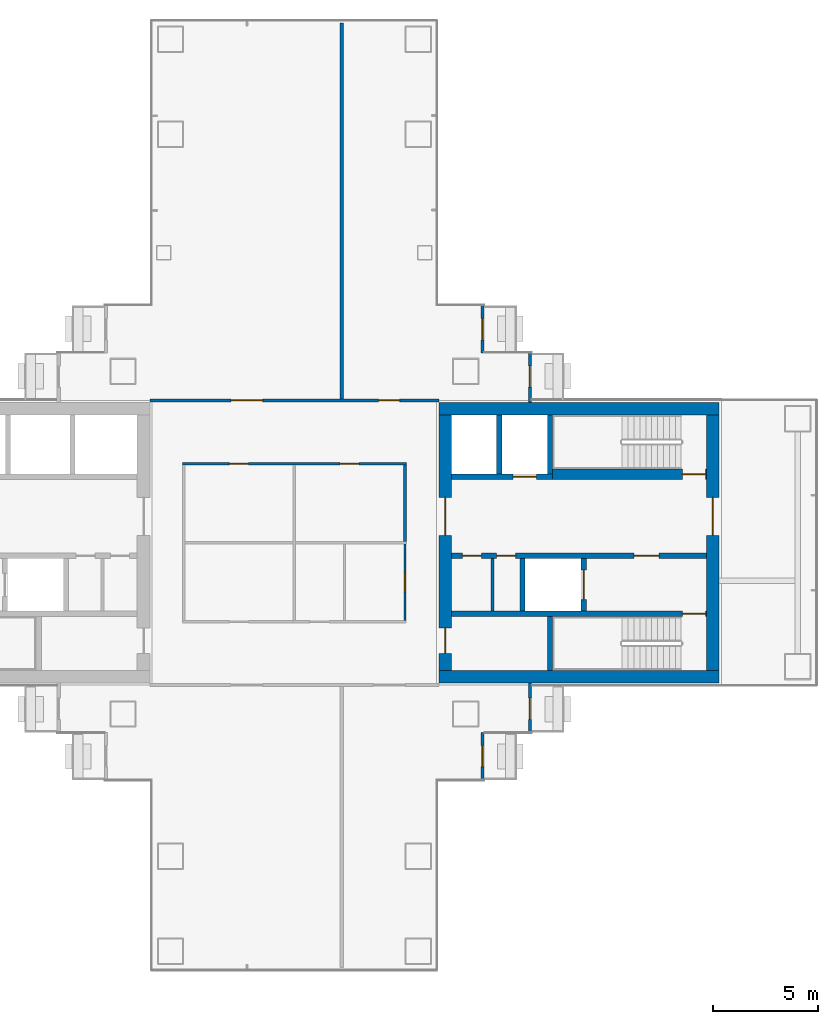
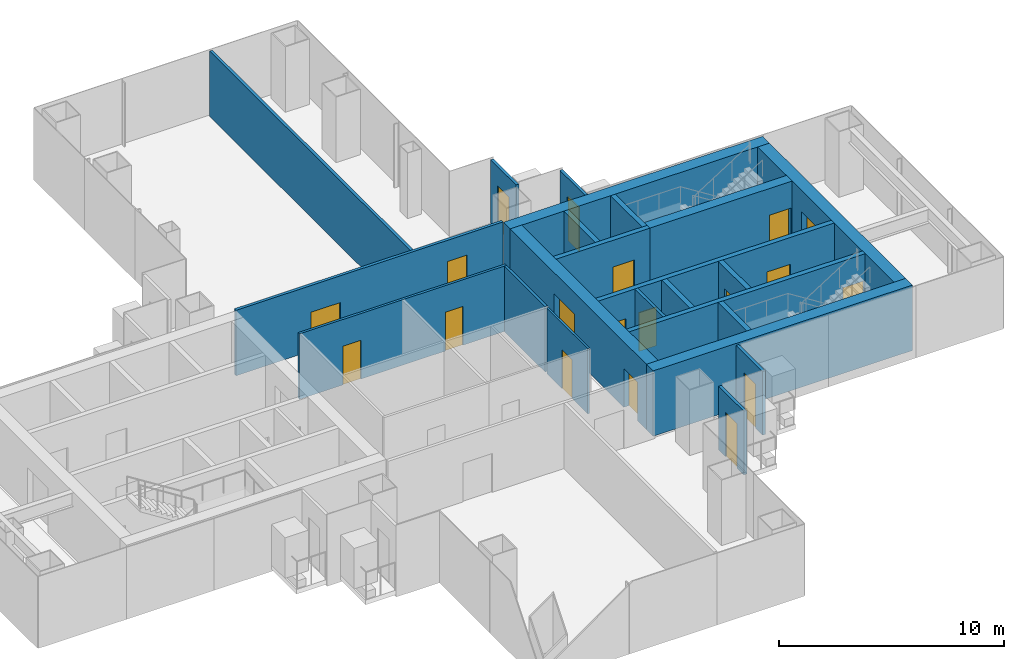
# One storey, part 14 of 19: 23 walls, 19 doors, 19 openings.
"""IFC4 building model written with IfcOpenShell, lengths in metres."""

from ifc_helpers import new_model, si_unit, direction, frame, frame_2d, origin, place, context, subcontext, project, spatial, rectangle, extrude, material, layer, layer_set, type_object, element, fill, save


model = new_model("IFC4")

# Units and contexts
model_context = context("Model", 3, precision=1e-05, world=origin(), true_north=direction((0.0, 1.0)))
body_context = subcontext(model_context, "Body", "Model", "MODEL_VIEW")
ifc_project = project(units=[si_unit("LENGTHUNIT", "METRE"), si_unit("AREAUNIT", "SQUARE_METRE"), si_unit("VOLUMEUNIT", "CUBIC_METRE"), si_unit("PLANEANGLEUNIT", "RADIAN"), si_unit("MASSUNIT", "GRAM", prefix="KILO")], contexts=[model_context])

# Site, building, storey
site_placement = place(None, origin())
site = spatial("IfcSite", under=ifc_project, at=site_placement, CompositionType="ELEMENT")
building_placement = place(site_placement, origin())
building = spatial("IfcBuilding", under=site, at=building_placement, Name="Shamsa Quay Exchange Towers", CompositionType="ELEMENT")
storey_placement = place(building_placement, frame((0.0, 0.0, 93.60009765625)))
storey = spatial("IfcBuildingStorey", under=building, at=storey_placement, Name="L21", CompositionType="ELEMENT", Elevation=93.60009765625)

# Wall, opening, door
ifc_material_1 = material(Name="Aluminium EN AW-6063 T6, black anodised, with black enamelled glass infill", Category="aluminium")
ifc_layer_1 = layer(ifc_material_1, 0.14990234375)
ifc_layer_set_1 = layer_set([ifc_layer_1], Name="BALCONY DOOR BAY WALL 150")
wall_type_1 = type_object("IfcWallType", Name="BALCONY DOOR BAY WALL 150", PredefinedType="SOLIDWALL", material=ifc_layer_set_1)
wall_1_placement = place(storey_placement, frame((42.675048828125, 11.25, 0.0), z_axis=(0.0, 0.0, 1.0), x_axis=(0.0, -1.0, 0.0)))
wall_1 = element("IfcWall", 1, at=wall_1_placement, inside=storey, type_object=wall_type_1, Name="Door bay T2-PKES L21", PredefinedType="SOLIDWALL", context=body_context, shape_type="SweptSolid", body=[
    extrude(rectangle(XDim=2.25, YDim=0.14990234375, at=frame_2d((1.125, 0.0))), origin(), (0.0, 0.0, 1.0), 3.449951171875),
])
opening_1_placement = place(wall_1_placement, frame((0.625, 0.0, 0.0)))
opening_1 = element("IfcOpeningElement", 2, at=opening_1_placement, cuts=wall_1, Name="Opening XD131", PredefinedType="OPENING", context=body_context, shape_type="SweptSolid", body=[
    extrude(rectangle(XDim=1.0, YDim=2.39990234375, at=frame_2d((0.5, 1.199951171875))), frame((0.0, 0.0849609375, 0.0), z_axis=(0.0, -1.0, 0.0), x_axis=(1.0, 0.0, 0.0)), (0.0, 0.0, 1.0), 0.169921875),
])
ifc_material_2 = material(Name="Aluminium EN AW-6063 T6, black anodised, with laminated glass leaf", Category="aluminium")
door_type_1 = type_object("IfcDoorType", Name="BALCONY DOOR 1000x2400", OperationType="SINGLE_SWING_LEFT", PredefinedType="DOOR", material=ifc_material_2)
door_1_placement = place(opening_1_placement, origin())
door_1 = element("IfcDoor", 3, at=door_1_placement, inside=storey, type_object=door_type_1, Name="Balcony door T2-PKES L21", OperationType="SINGLE_SWING_RIGHT", OverallHeight=2.39990234375, OverallWidth=1.0, PredefinedType="DOOR", context=body_context, shape_type="SweptSolid", body=[
    extrude(rectangle(XDim=1.0, YDim=2.39990234375, at=frame_2d((0.5, 1.199951171875))), frame((0.0, 0.02490234375, 0.0), z_axis=(0.0, -1.0, 0.0), x_axis=(1.0, 0.0, 0.0)), (0.0, 0.0, 1.0), 0.050048828125),
])
fill(opening_1, door_1)

wall_2_placement = place(storey_placement, frame((44.925048828125, 9.0, 0.0), z_axis=(0.0, 0.0, 1.0), x_axis=(0.0, -1.0, 0.0)))
wall_2 = element("IfcWall", 4, at=wall_2_placement, inside=storey, type_object=wall_type_1, Name="Door bay T2-PKES L21", PredefinedType="SOLIDWALL", context=body_context, shape_type="SweptSolid", body=[
    extrude(rectangle(XDim=2.35693359375, YDim=0.14990234375, at=frame_2d((1.178466796875, 0.0))), origin(), (0.0, 0.0, 1.0), 3.449951171875),
])
opening_2_placement = place(wall_2_placement, frame((0.625, 0.0, 0.0)))
opening_2 = element("IfcOpeningElement", 5, at=opening_2_placement, cuts=wall_2, Name="Opening XD132", PredefinedType="OPENING", context=body_context, shape_type="SweptSolid", body=[
    extrude(rectangle(XDim=1.0, YDim=2.39990234375, at=frame_2d((0.5, 1.199951171875))), frame((0.0, 0.0849609375, 0.0), z_axis=(0.0, -1.0, 0.0), x_axis=(1.0, 0.0, 0.0)), (0.0, 0.0, 1.0), 0.169921875),
])
door_2_placement = place(opening_2_placement, origin())
door_2 = element("IfcDoor", 6, at=door_2_placement, inside=storey, type_object=door_type_1, Name="Balcony door T2-PKES L21", OperationType="SINGLE_SWING_LEFT", OverallHeight=2.39990234375, OverallWidth=1.0, PredefinedType="DOOR", context=body_context, shape_type="SweptSolid", body=[
    extrude(rectangle(XDim=1.0, YDim=2.39990234375, at=frame_2d((0.5, 1.199951171875))), frame((0.0, 0.02490234375, 0.0), z_axis=(0.0, -1.0, 0.0), x_axis=(1.0, 0.0, 0.0)), (0.0, 0.0, 1.0), 0.050048828125),
])
fill(opening_2, door_2)

wall_3_placement = place(storey_placement, frame((42.675048828125, -9.0, 0.0), z_axis=(0.0, 0.0, 1.0), x_axis=(0.0, -1.0, 0.0)))
wall_3 = element("IfcWall", 7, at=wall_3_placement, inside=storey, type_object=wall_type_1, Name="Door bay T2-PKWS L21", PredefinedType="SOLIDWALL", context=body_context, shape_type="SweptSolid", body=[
    extrude(rectangle(XDim=2.25, YDim=0.14990234375, at=frame_2d((1.125, 0.0))), origin(), (0.0, 0.0, 1.0), 3.449951171875),
])
opening_3_placement = place(wall_3_placement, frame((0.625, 0.0, 0.0)))
opening_3 = element("IfcOpeningElement", 8, at=opening_3_placement, cuts=wall_3, Name="Opening XD135", PredefinedType="OPENING", context=body_context, shape_type="SweptSolid", body=[
    extrude(rectangle(XDim=1.0, YDim=2.39990234375, at=frame_2d((0.5, 1.199951171875))), frame((0.0, 0.0849609375, 0.0), z_axis=(0.0, -1.0, 0.0), x_axis=(1.0, 0.0, 0.0)), (0.0, 0.0, 1.0), 0.169921875),
])
door_3_placement = place(opening_3_placement, origin())
door_3 = element("IfcDoor", 9, at=door_3_placement, inside=storey, type_object=door_type_1, Name="Balcony door T2-PKWS L21", OperationType="SINGLE_SWING_LEFT", OverallHeight=2.39990234375, OverallWidth=1.0, PredefinedType="DOOR", context=body_context, shape_type="SweptSolid", body=[
    extrude(rectangle(XDim=1.0, YDim=2.39990234375, at=frame_2d((0.5, 1.199951171875))), frame((0.0, 0.02490234375, 0.0), z_axis=(0.0, -1.0, 0.0), x_axis=(1.0, 0.0, 0.0)), (0.0, 0.0, 1.0), 0.050048828125),
])
fill(opening_3, door_3)

wall_4_placement = place(storey_placement, frame((44.925048828125, -6.64306640625, 0.0), z_axis=(0.0, 0.0, 1.0), x_axis=(0.0, -1.0, 0.0)))
wall_4 = element("IfcWall", 10, at=wall_4_placement, inside=storey, type_object=wall_type_1, Name="Door bay T2-PKWS L21", PredefinedType="SOLIDWALL", context=body_context, shape_type="SweptSolid", body=[
    extrude(rectangle(XDim=2.35693359375, YDim=0.14990234375, at=frame_2d((1.178466796875, 0.0))), origin(), (0.0, 0.0, 1.0), 3.449951171875),
])
opening_4_placement = place(wall_4_placement, frame((0.73193359375, 0.0, 0.0)))
opening_4 = element("IfcOpeningElement", 11, at=opening_4_placement, cuts=wall_4, Name="Opening XD136", PredefinedType="OPENING", context=body_context, shape_type="SweptSolid", body=[
    extrude(rectangle(XDim=1.0, YDim=2.39990234375, at=frame_2d((0.5, 1.199951171875))), frame((0.0, 0.0849609375, 0.0), z_axis=(0.0, -1.0, 0.0), x_axis=(1.0, 0.0, 0.0)), (0.0, 0.0, 1.0), 0.169921875),
])
door_4_placement = place(opening_4_placement, origin())
door_4 = element("IfcDoor", 12, at=door_4_placement, inside=storey, type_object=door_type_1, Name="Balcony door T2-PKWS L21", OperationType="SINGLE_SWING_RIGHT", OverallHeight=2.39990234375, OverallWidth=1.0, PredefinedType="DOOR", context=body_context, shape_type="SweptSolid", body=[
    extrude(rectangle(XDim=1.0, YDim=2.39990234375, at=frame_2d((0.5, 1.199951171875))), frame((0.0, 0.02490234375, 0.0), z_axis=(0.0, -1.0, 0.0), x_axis=(1.0, 0.0, 0.0)), (0.0, 0.0, 1.0), 0.050048828125),
])
fill(opening_4, door_4)

# Walls
ifc_material_3 = material(Name="Concrete C70/85", Category="concrete")
ifc_layer_2 = layer(ifc_material_3, 0.60009765625)
ifc_layer_set_2 = layer_set([ifc_layer_2], Name="CORE WALL 600 C70/85")
wall_type_2 = type_object("IfcWallType", Name="CORE WALL 600 C70/85", PredefinedType="SHEAR", material=ifc_layer_set_2)
for number, where, z_axis, x_axis, name in (
    (13, (53.89990234375, -6.35009765625, 0.0), (0.0, 0.0, 1.0), (-1.0, 0.0, 0.0), "Core wall T2B-R09-PS"),
    (14, (53.89990234375, 6.35009765625, 0.0), (0.0, 0.0, 1.0), (-1.0, 0.0, 0.0), "Core wall T2B-R09-PN"),
):
    element("IfcWall", number, at=place(storey_placement, frame(where, z_axis=z_axis, x_axis=x_axis)), inside=storey, type_object=wall_type_2, Name=name, PredefinedType="SHEAR", context=body_context, shape_type="SweptSolid", body=[
        extrude(rectangle(XDim=13.2998046875, YDim=0.60009765625, at=frame_2d((6.64990234375, 0.0))), origin(), (0.0, 0.0, 1.0), 3.5498046875),
    ])

# Wall, opening, door
wall_5_placement = place(storey_placement, frame((53.60009765625, -6.050048828125, 0.0), z_axis=(0.0, 0.0, 1.0), x_axis=(0.0, 1.0, 0.0)))
wall_5 = element("IfcWall", 15, at=wall_5_placement, inside=storey, type_object=wall_type_2, Name="Core wall T2B-R09-PF", PredefinedType="SHEAR", context=body_context, shape_type="SweptSolid", body=[
    extrude(rectangle(XDim=12.10009765625, YDim=0.60009765625, at=frame_2d((6.050048828125, 0.0))), origin(), (0.0, 0.0, 1.0), 3.5498046875),
])
opening_5_placement = place(wall_5_placement, frame((6.39990234375, 0.0, 0.0)))
opening_5 = element("IfcOpeningElement", 16, at=opening_5_placement, cuts=wall_5, Name="Opening T2B-R09-LBD01", PredefinedType="OPENING", context=body_context, shape_type="SweptSolid", body=[
    extrude(rectangle(XDim=1.800048828125, YDim=2.39990234375, at=frame_2d((0.89990234375, 1.199951171875))), frame((0.0, 0.31005859375, 0.0), z_axis=(0.0, -1.0, 0.0), x_axis=(1.0, 0.0, 0.0)), (0.0, 0.0, 1.0), 0.6201171875),
])
ifc_material_4 = material(Name="Steel, fire rated", Category="steel")
door_type_2 = type_object("IfcDoorType", Name="LIFT LOBBY DOOR PAIR 1800", OperationType="DOUBLE_DOOR_SINGLE_SWING", PredefinedType="DOOR", material=ifc_material_4)
door_5_placement = place(opening_5_placement, origin())
door_5 = element("IfcDoor", 17, at=door_5_placement, inside=storey, type_object=door_type_2, Name="T2B-R09-LBD01", OperationType="DOUBLE_DOOR_SINGLE_SWING", OverallHeight=2.39990234375, OverallWidth=1.800048828125, PredefinedType="DOOR", context=body_context, shape_type="SweptSolid", body=[
    extrude(rectangle(XDim=1.800048828125, YDim=2.39990234375, at=frame_2d((0.89990234375, 1.199951171875))), frame((0.0, 0.02490234375, 0.0), z_axis=(0.0, -1.0, 0.0), x_axis=(1.0, 0.0, 0.0)), (0.0, 0.0, 1.0), 0.050048828125),
])
fill(opening_5, door_5)

# Wall, openings, doors
wall_6_placement = place(storey_placement, frame((40.89990234375, -6.050048828125, 0.0), z_axis=(0.0, 0.0, 1.0), x_axis=(0.0, 1.0, 0.0)))
wall_6 = element("IfcWall", 18, at=wall_6_placement, inside=storey, type_object=wall_type_2, Name="Core wall T2B-R09-PB", PredefinedType="SHEAR", context=body_context, shape_type="SweptSolid", body=[
    extrude(rectangle(XDim=12.10009765625, YDim=0.60009765625, at=frame_2d((6.050048828125, 0.0))), origin(), (0.0, 0.0, 1.0), 3.5498046875),
])
opening_6_placement = place(wall_6_placement, frame((0.800048828125, 0.0, 0.0)))
opening_6 = element("IfcOpeningElement", 19, at=opening_6_placement, cuts=wall_6, Name="Opening T2B-R09-RD02", PredefinedType="OPENING", context=body_context, shape_type="SweptSolid", body=[
    extrude(rectangle(XDim=1.199951171875, YDim=2.10009765625, at=frame_2d((0.60009765625, 1.050048828125))), frame((0.0, 0.31005859375, 0.0), z_axis=(0.0, -1.0, 0.0), x_axis=(1.0, 0.0, 0.0)), (0.0, 0.0, 1.0), 0.6201171875),
])
opening_7_placement = place(wall_6_placement, frame((6.39990234375, 0.0, 0.0)))
opening_7 = element("IfcOpeningElement", 20, at=opening_7_placement, cuts=wall_6, Name="Opening T2B-R09-LBD03", PredefinedType="OPENING", context=body_context, shape_type="SweptSolid", body=[
    extrude(rectangle(XDim=1.800048828125, YDim=2.39990234375, at=frame_2d((0.89990234375, 1.199951171875))), frame((0.0, 0.31005859375, 0.0), z_axis=(0.0, -1.0, 0.0), x_axis=(1.0, 0.0, 0.0)), (0.0, 0.0, 1.0), 0.6201171875),
])
door_6_placement = place(opening_7_placement, origin())
door_6 = element("IfcDoor", 21, at=door_6_placement, inside=storey, type_object=door_type_2, Name="T2B-R09-LBD03", OperationType="DOUBLE_DOOR_SINGLE_SWING", OverallHeight=2.39990234375, OverallWidth=1.800048828125, PredefinedType="DOOR", context=body_context, shape_type="SweptSolid", body=[
    extrude(rectangle(XDim=1.800048828125, YDim=2.39990234375, at=frame_2d((0.89990234375, 1.199951171875))), frame((0.0, 0.02490234375, 0.0), z_axis=(0.0, -1.0, 0.0), x_axis=(1.0, 0.0, 0.0)), (0.0, 0.0, 1.0), 0.050048828125),
])
fill(opening_7, door_6)
door_type_3 = type_object("IfcDoorType", Name="RISER ACCESS DOOR 1200", OperationType="SINGLE_SWING_LEFT", PredefinedType="DOOR", material=ifc_material_4)
door_7_placement = place(opening_6_placement, origin())
door_7 = element("IfcDoor", 22, at=door_7_placement, inside=storey, type_object=door_type_3, Name="T2B-R09-RD02", OperationType="SINGLE_SWING_LEFT", OverallHeight=2.10009765625, OverallWidth=1.199951171875, PredefinedType="DOOR", context=body_context, shape_type="SweptSolid", body=[
    extrude(rectangle(XDim=1.199951171875, YDim=2.10009765625, at=frame_2d((0.60009765625, 1.050048828125))), frame((0.0, 0.02490234375, 0.0), z_axis=(0.0, -1.0, 0.0), x_axis=(1.0, 0.0, 0.0)), (0.0, 0.0, 1.0), 0.050048828125),
])
fill(opening_6, door_7)

# Wall
ifc_material_5 = material(Name="Gypsum board on steel studs, EI 60", Category="steel")
ifc_layer_3 = layer(ifc_material_5, 0.14990234375)
ifc_layer_set_3 = layer_set([ifc_layer_3], Name="FIRE PARTITION 150")
wall_type_3 = type_object("IfcWallType", Name="FIRE PARTITION 150", PredefinedType="PARTITIONING", material=ifc_layer_set_3)
wall_7_placement = place(storey_placement, frame((43.14990234375, -3.25, 0.0), z_axis=(0.0, 0.0, 1.0), x_axis=(0.0, 1.0, 0.0)))
element("IfcWall", 23, at=wall_7_placement, inside=storey, type_object=wall_type_3, Name="Partition T2B-R09-EC0", PredefinedType="PARTITIONING", context=body_context, shape_type="SweptSolid", body=[
    extrude(rectangle(XDim=2.5, YDim=0.14990234375, at=frame_2d((1.25, 0.0))), origin(), (0.0, 0.0, 1.0), 3.5498046875),
])

# Wall, openings, doors
ifc_material_6 = material(Name="Laminated fire-resisting glass in a metal frame", Category="glass")
ifc_layer_4 = layer(ifc_material_6, 0.125)
ifc_layer_set_4 = layer_set([ifc_layer_4], Name="Glazed partition 125 mm EI 60")
wall_type_4 = type_object("IfcWallType", Name="Glazed partition 125 mm EI 60", PredefinedType="PARTITIONING", material=ifc_layer_set_4)
wall_8_placement = place(storey_placement, frame((39.0625, 3.75, 0.0), z_axis=(0.0, 0.0, 1.0), x_axis=(-1.0, 0.0, 0.0)))
wall_8 = element("IfcWall", 24, at=wall_8_placement, inside=storey, type_object=wall_type_4, Name="Partition T2-R09-W02", PredefinedType="PARTITIONING", context=body_context, shape_type="SweptSolid", body=[
    extrude(rectangle(XDim=10.625, YDim=0.125, at=frame_2d((5.3125, 0.0))), origin(), (0.0, 0.0, 1.0), 3.5498046875),
])
opening_8_placement = place(wall_8_placement, frame((7.487548828125, 0.0, 0.0)))
opening_8 = element("IfcOpeningElement", 25, at=opening_8_placement, cuts=wall_8, Name="Opening T2-R09-D06", PredefinedType="OPENING", context=body_context, shape_type="SweptSolid", body=[
    extrude(rectangle(XDim=0.89990234375, YDim=2.10009765625, at=frame_2d((0.449951171875, 1.050048828125))), frame((0.0, 0.072509765625, 0.0), z_axis=(0.0, -1.0, 0.0), x_axis=(1.0, 0.0, 0.0)), (0.0, 0.0, 1.0), 0.14501953125),
])
opening_9_placement = place(wall_8_placement, frame((2.237548828125, 0.0, 0.0)))
opening_9 = element("IfcOpeningElement", 26, at=opening_9_placement, cuts=wall_8, Name="Opening T2-R09-D07", PredefinedType="OPENING", context=body_context, shape_type="SweptSolid", body=[
    extrude(rectangle(XDim=0.89990234375, YDim=2.10009765625, at=frame_2d((0.449951171875, 1.050048828125))), frame((0.0, 0.072509765625, 0.0), z_axis=(0.0, -1.0, 0.0), x_axis=(1.0, 0.0, 0.0)), (0.0, 0.0, 1.0), 0.14501953125),
])
ifc_material_7 = material(Name="Timber door leaf in a metal frame", Category="wood")
door_type_4 = type_object("IfcDoorType", Name="Door 900x2100 FD30S", OperationType="NOTDEFINED", PredefinedType="DOOR", material=ifc_material_7)
door_8_placement = place(opening_8_placement, origin())
door_8 = element("IfcDoor", 27, at=door_8_placement, inside=storey, type_object=door_type_4, Name="Door T2-R09-D06", OperationType="SINGLE_SWING_LEFT", OverallHeight=2.10009765625, OverallWidth=0.89990234375, PredefinedType="DOOR", context=body_context, shape_type="SweptSolid", body=[
    extrude(rectangle(XDim=0.89990234375, YDim=2.10009765625, at=frame_2d((0.449951171875, 1.050048828125))), frame((0.0, 0.02490234375, 0.0), z_axis=(0.0, -1.0, 0.0), x_axis=(1.0, 0.0, 0.0)), (0.0, 0.0, 1.0), 0.050048828125),
])
fill(opening_8, door_8)
door_9_placement = place(opening_9_placement, origin())
door_9 = element("IfcDoor", 28, at=door_9_placement, inside=storey, type_object=door_type_4, Name="Door T2-R09-D07", OperationType="SINGLE_SWING_RIGHT", OverallHeight=2.10009765625, OverallWidth=0.89990234375, PredefinedType="DOOR", context=body_context, shape_type="SweptSolid", body=[
    extrude(rectangle(XDim=0.89990234375, YDim=2.10009765625, at=frame_2d((0.449951171875, 1.050048828125))), frame((0.0, 0.02490234375, 0.0), z_axis=(0.0, -1.0, 0.0), x_axis=(1.0, 0.0, 0.0)), (0.0, 0.0, 1.0), 0.050048828125),
])
fill(opening_9, door_9)

# Wall
wall_9_placement = place(storey_placement, frame((39.0, 0.0625, 0.0), z_axis=(0.0, 0.0, 1.0), x_axis=(0.0, 1.0, 0.0)))
element("IfcWall", 29, at=wall_9_placement, inside=storey, type_object=wall_type_4, Name="Partition T2-R09-W04", PredefinedType="PARTITIONING", context=body_context, shape_type="SweptSolid", body=[
    extrude(rectangle(XDim=3.625, YDim=0.125, at=frame_2d((1.8125, 0.0))), origin(), (0.0, 0.0, 1.0), 3.5498046875),
])

# Wall, opening, door
ifc_material_8 = material(Name="Gypsum board partition on metal studs")
ifc_layer_5 = layer(ifc_material_8, 0.10009765625)
ifc_layer_set_5 = layer_set([ifc_layer_5], Name="Partition 100 mm NOT RATED")
wall_type_5 = type_object("IfcWallType", Name="Partition 100 mm NOT RATED", PredefinedType="PARTITIONING", material=ifc_layer_set_5)
wall_10_placement = place(storey_placement, frame((39.0, -3.699951171875, 0.0), z_axis=(0.0, 0.0, 1.0), x_axis=(0.0, 1.0, 0.0)))
wall_10 = element("IfcWall", 30, at=wall_10_placement, inside=storey, type_object=wall_type_5, Name="Partition T2-R09-W05", PredefinedType="PARTITIONING", context=body_context, shape_type="SweptSolid", body=[
    extrude(rectangle(XDim=3.637451171875, YDim=0.10009765625, at=frame_2d((1.81884765625, 0.0))), origin(), (0.0, 0.0, 1.0), 3.5498046875),
])
opening_10_placement = place(wall_10_placement, frame((1.375, 0.0, 0.0)))
opening_10 = element("IfcOpeningElement", 31, at=opening_10_placement, cuts=wall_10, Name="Opening T2-R09-D04", PredefinedType="OPENING", context=body_context, shape_type="SweptSolid", body=[
    extrude(rectangle(XDim=0.89990234375, YDim=2.10009765625, at=frame_2d((0.449951171875, 1.050048828125))), frame((0.0, 0.06005859375, 0.0), z_axis=(0.0, -1.0, 0.0), x_axis=(1.0, 0.0, 0.0)), (0.0, 0.0, 1.0), 0.1201171875),
])
door_type_5 = type_object("IfcDoorType", Name="Door 900x2100 NOT RATED", OperationType="NOTDEFINED", PredefinedType="DOOR", material=ifc_material_7)
door_10_placement = place(opening_10_placement, origin())
door_10 = element("IfcDoor", 32, at=door_10_placement, inside=storey, type_object=door_type_5, Name="Door T2-R09-D04", OperationType="SINGLE_SWING_RIGHT", OverallHeight=2.10009765625, OverallWidth=0.89990234375, PredefinedType="DOOR", context=body_context, shape_type="SweptSolid", body=[
    extrude(rectangle(XDim=0.89990234375, YDim=2.10009765625, at=frame_2d((0.449951171875, 1.050048828125))), frame((0.0, 0.02490234375, 0.0), z_axis=(0.0, -1.0, 0.0), x_axis=(1.0, 0.0, 0.0)), (0.0, 0.0, 1.0), 0.050048828125),
])
fill(opening_10, door_10)

# Wall, openings, doors
ifc_layer_6 = layer(ifc_material_8, 0.14990234375)
ifc_layer_set_6 = layer_set([ifc_layer_6], Name="Partition 150 mm EI 60")
wall_type_6 = type_object("IfcWallType", Name="Partition 150 mm EI 60", PredefinedType="PARTITIONING", material=ifc_layer_set_6)
wall_11_placement = place(storey_placement, frame((26.89990234375, 6.75, 0.0)))
wall_11 = element("IfcWall", 33, at=wall_11_placement, inside=storey, type_object=wall_type_6, Name="Partition T2-R09-W07", PredefinedType="PARTITIONING", context=body_context, shape_type="SweptSolid", body=[
    extrude(rectangle(XDim=13.7001953125, YDim=0.14990234375, at=frame_2d((6.85009765625, 0.0))), origin(), (0.0, 0.0, 1.0), 3.5498046875),
])
opening_11_placement = place(wall_11_placement, frame((10.85009765625, 0.0, 0.0)))
opening_11 = element("IfcOpeningElement", 34, at=opening_11_placement, cuts=wall_11, Name="Opening T2-R09-D01", PredefinedType="OPENING", context=body_context, shape_type="SweptSolid", body=[
    extrude(rectangle(XDim=1.0, YDim=2.39990234375, at=frame_2d((0.5, 1.199951171875))), frame((0.0, 0.0849609375, 0.0), z_axis=(0.0, -1.0, 0.0), x_axis=(1.0, 0.0, 0.0)), (0.0, 0.0, 1.0), 0.169921875),
])
opening_12_placement = place(wall_11_placement, frame((3.85009765625, 0.0, 0.0)))
opening_12 = element("IfcOpeningElement", 35, at=opening_12_placement, cuts=wall_11, Name="Opening T2-R09-D02", PredefinedType="OPENING", context=body_context, shape_type="SweptSolid", body=[
    extrude(rectangle(XDim=1.5, YDim=2.10009765625, at=frame_2d((0.75, 1.050048828125))), frame((0.0, 0.0849609375, 0.0), z_axis=(0.0, -1.0, 0.0), x_axis=(1.0, 0.0, 0.0)), (0.0, 0.0, 1.0), 0.169921875),
])
door_type_6 = type_object("IfcDoorType", Name="Door 1000x2400 FD30S", OperationType="NOTDEFINED", PredefinedType="DOOR", material=ifc_material_7)
door_11_placement = place(opening_11_placement, origin())
door_11 = element("IfcDoor", 36, at=door_11_placement, inside=storey, type_object=door_type_6, Name="Door T2-R09-D01", OperationType="SINGLE_SWING_LEFT", OverallHeight=2.39990234375, OverallWidth=1.0, PredefinedType="DOOR", context=body_context, shape_type="SweptSolid", body=[
    extrude(rectangle(XDim=1.0, YDim=2.39990234375, at=frame_2d((0.5, 1.199951171875))), frame((0.0, 0.02490234375, 0.0), z_axis=(0.0, -1.0, 0.0), x_axis=(1.0, 0.0, 0.0)), (0.0, 0.0, 1.0), 0.050048828125),
])
fill(opening_11, door_11)
door_type_7 = type_object("IfcDoorType", Name="Door 1500x2100 FD30S pair", OperationType="NOTDEFINED", PredefinedType="DOOR", material=ifc_material_7)
door_12_placement = place(opening_12_placement, origin())
door_12 = element("IfcDoor", 37, at=door_12_placement, inside=storey, type_object=door_type_7, Name="Door T2-R09-D02", OperationType="DOUBLE_DOOR_SINGLE_SWING", OverallHeight=2.10009765625, OverallWidth=1.5, PredefinedType="DOOR", context=body_context, shape_type="SweptSolid", body=[
    extrude(rectangle(XDim=1.5, YDim=2.10009765625, at=frame_2d((0.75, 1.050048828125))), frame((0.0, 0.02490234375, 0.0), z_axis=(0.0, -1.0, 0.0), x_axis=(1.0, 0.0, 0.0)), (0.0, 0.0, 1.0), 0.050048828125),
])
fill(opening_12, door_12)

# Wall
wall_12_placement = place(storey_placement, frame((36.0, 24.655029296875, 0.0), z_axis=(0.0, 0.0, 1.0), x_axis=(0.0, -1.0, 0.0)))
element("IfcWall", 38, at=wall_12_placement, inside=storey, type_object=wall_type_6, Name="Partition T2-R09-W13", PredefinedType="PARTITIONING", context=body_context, shape_type="SweptSolid", body=[
    extrude(rectangle(XDim=17.830078125, YDim=0.14990234375, at=frame_2d((8.9150390625, 0.0))), origin(), (0.0, 0.0, 1.0), 3.5498046875),
])

# Wall, opening, door
ifc_material_9 = material(Name="Concrete C50/60", Category="concrete")
ifc_layer_7 = layer(ifc_material_9, 0.25)
ifc_layer_set_7 = layer_set([ifc_layer_7], Name="SHAFT WALL 250 C50/60")
wall_type_7 = type_object("IfcWallType", Name="SHAFT WALL 250 C50/60", PredefinedType="SHEAR", material=ifc_layer_set_7)
wall_13_placement = place(storey_placement, frame((53.300048828125, -3.375, 0.0), z_axis=(0.0, 0.0, 1.0), x_axis=(-1.0, 0.0, 0.0)))
wall_13 = element("IfcWall", 39, at=wall_13_placement, inside=storey, type_object=wall_type_7, Name="Shaft wall T2B-R09-STL", PredefinedType="SHEAR", context=body_context, shape_type="SweptSolid", body=[
    extrude(rectangle(XDim=12.10009765625, YDim=0.25, at=frame_2d((6.050048828125, 0.0))), origin(), (0.0, 0.0, 1.0), 3.5498046875),
])
opening_13_placement = place(wall_13_placement, frame((0.050048828125, 0.0, 0.0)))
opening_13 = element("IfcOpeningElement", 40, at=opening_13_placement, cuts=wall_13, Name="Opening T2B-R09-SD04", PredefinedType="OPENING", context=body_context, shape_type="SweptSolid", body=[
    extrude(rectangle(XDim=1.10009765625, YDim=2.10009765625, at=frame_2d((0.550048828125, 1.050048828125))), frame((0.0, 0.135009765625, 0.0), z_axis=(0.0, -1.0, 0.0), x_axis=(1.0, 0.0, 0.0)), (0.0, 0.0, 1.0), 0.27001953125),
])
door_type_8 = type_object("IfcDoorType", Name="STAIR DOOR 1100", OperationType="SINGLE_SWING_LEFT", PredefinedType="DOOR", material=ifc_material_4)
door_13_placement = place(opening_13_placement, origin())
door_13 = element("IfcDoor", 41, at=door_13_placement, inside=storey, type_object=door_type_8, Name="T2B-R09-SD04", OperationType="SINGLE_SWING_LEFT", OverallHeight=2.10009765625, OverallWidth=1.10009765625, PredefinedType="DOOR", context=body_context, shape_type="SweptSolid", body=[
    extrude(rectangle(XDim=1.10009765625, YDim=2.10009765625, at=frame_2d((0.550048828125, 1.050048828125))), frame((0.0, 0.02490234375, 0.0), z_axis=(0.0, -1.0, 0.0), x_axis=(1.0, 0.0, 0.0)), (0.0, 0.0, 1.0), 0.050048828125),
])
fill(opening_13, door_13)

# Wall
wall_14_placement = place(storey_placement, frame((45.875, -6.050048828125, 0.0), z_axis=(0.0, 0.0, 1.0), x_axis=(0.0, 1.0, 0.0)))
element("IfcWall", 42, at=wall_14_placement, inside=storey, type_object=wall_type_7, Name="Shaft wall T2B-R09-STF", PredefinedType="SHEAR", context=body_context, shape_type="SweptSolid", body=[
    extrude(rectangle(XDim=2.550048828125, YDim=0.25, at=frame_2d((1.27490234375, 0.0))), origin(), (0.0, 0.0, 1.0), 3.5498046875),
])

# Wall, openings, doors
wall_15_placement = place(storey_placement, frame((53.300048828125, -0.625, 0.0), z_axis=(0.0, 0.0, 1.0), x_axis=(-1.0, 0.0, 0.0)))
wall_15 = element("IfcWall", 43, at=wall_15_placement, inside=storey, type_object=wall_type_7, Name="Shaft wall T2B-R09-B", PredefinedType="SHEAR", context=body_context, shape_type="SweptSolid", body=[
    extrude(rectangle(XDim=12.10009765625, YDim=0.25, at=frame_2d((6.050048828125, 0.0))), origin(), (0.0, 0.0, 1.0), 3.5498046875),
])
opening_14_placement = place(wall_15_placement, frame((2.25, 0.0, 0.0)))
opening_14 = element("IfcOpeningElement", 44, at=opening_14_placement, cuts=wall_15, Name="Opening T2B-R09-FD05", PredefinedType="OPENING", context=body_context, shape_type="SweptSolid", body=[
    extrude(rectangle(XDim=1.199951171875, YDim=2.10009765625, at=frame_2d((0.60009765625, 1.050048828125))), frame((0.0, 0.135009765625, 0.0), z_axis=(0.0, -1.0, 0.0), x_axis=(1.0, 0.0, 0.0)), (0.0, 0.0, 1.0), 0.27001953125),
])
opening_15_placement = place(wall_15_placement, frame((9.050048828125, 0.0, 0.0)))
opening_15 = element("IfcOpeningElement", 45, at=opening_15_placement, cuts=wall_15, Name="Opening T2B-R09-SV06", PredefinedType="OPENING", context=body_context, shape_type="SweptSolid", body=[
    extrude(rectangle(XDim=0.89990234375, YDim=2.10009765625, at=frame_2d((0.449951171875, 1.050048828125))), frame((0.0, 0.135009765625, 0.0), z_axis=(0.0, -1.0, 0.0), x_axis=(1.0, 0.0, 0.0)), (0.0, 0.0, 1.0), 0.27001953125),
])
opening_16_placement = place(wall_15_placement, frame((10.675048828125, 0.0, 0.0)))
opening_16 = element("IfcOpeningElement", 46, at=opening_16_placement, cuts=wall_15, Name="Opening T2B-R09-SV07", PredefinedType="OPENING", context=body_context, shape_type="SweptSolid", body=[
    extrude(rectangle(XDim=0.89990234375, YDim=2.10009765625, at=frame_2d((0.449951171875, 1.050048828125))), frame((0.0, 0.135009765625, 0.0), z_axis=(0.0, -1.0, 0.0), x_axis=(1.0, 0.0, 0.0)), (0.0, 0.0, 1.0), 0.27001953125),
])
door_type_9 = type_object("IfcDoorType", Name="FIRE SERVICE LOBBY DOOR 1200", OperationType="SINGLE_SWING_LEFT", PredefinedType="DOOR", material=ifc_material_4)
door_14_placement = place(opening_14_placement, origin())
door_14 = element("IfcDoor", 47, at=door_14_placement, inside=storey, type_object=door_type_9, Name="T2B-R09-FD05", OperationType="SINGLE_SWING_LEFT", OverallHeight=2.10009765625, OverallWidth=1.199951171875, PredefinedType="DOOR", context=body_context, shape_type="SweptSolid", body=[
    extrude(rectangle(XDim=1.199951171875, YDim=2.10009765625, at=frame_2d((0.60009765625, 1.050048828125))), frame((0.0, 0.02490234375, 0.0), z_axis=(0.0, -1.0, 0.0), x_axis=(1.0, 0.0, 0.0)), (0.0, 0.0, 1.0), 0.050048828125),
])
fill(opening_14, door_14)
door_type_10 = type_object("IfcDoorType", Name="SERVICE ROOM DOOR 900", OperationType="SINGLE_SWING_LEFT", PredefinedType="DOOR", material=ifc_material_4)
door_15_placement = place(opening_15_placement, origin())
door_15 = element("IfcDoor", 48, at=door_15_placement, inside=storey, type_object=door_type_10, Name="T2B-R09-SV06", OperationType="SINGLE_SWING_RIGHT", OverallHeight=2.10009765625, OverallWidth=0.89990234375, PredefinedType="DOOR", context=body_context, shape_type="SweptSolid", body=[
    extrude(rectangle(XDim=0.89990234375, YDim=2.10009765625, at=frame_2d((0.449951171875, 1.050048828125))), frame((0.0, 0.02490234375, 0.0), z_axis=(0.0, -1.0, 0.0), x_axis=(1.0, 0.0, 0.0)), (0.0, 0.0, 1.0), 0.050048828125),
])
fill(opening_15, door_15)
door_16_placement = place(opening_16_placement, origin())
door_16 = element("IfcDoor", 49, at=door_16_placement, inside=storey, type_object=door_type_10, Name="T2B-R09-SV07", OperationType="SINGLE_SWING_RIGHT", OverallHeight=2.10009765625, OverallWidth=0.89990234375, PredefinedType="DOOR", context=body_context, shape_type="SweptSolid", body=[
    extrude(rectangle(XDim=0.89990234375, YDim=2.10009765625, at=frame_2d((0.449951171875, 1.050048828125))), frame((0.0, 0.02490234375, 0.0), z_axis=(0.0, -1.0, 0.0), x_axis=(1.0, 0.0, 0.0)), (0.0, 0.0, 1.0), 0.050048828125),
])
fill(opening_16, door_16)

# Wall, opening, door
wall_16_placement = place(storey_placement, frame((47.47509765625, -3.25, 0.0), z_axis=(0.0, 0.0, 1.0), x_axis=(0.0, 1.0, 0.0)))
wall_16 = element("IfcWall", 50, at=wall_16_placement, inside=storey, type_object=wall_type_7, Name="Shaft wall T2B-R09-FFF", PredefinedType="SHEAR", context=body_context, shape_type="SweptSolid", body=[
    extrude(rectangle(XDim=2.5, YDim=0.25, at=frame_2d((1.25, 0.0))), origin(), (0.0, 0.0, 1.0), 3.5498046875),
])
opening_17_placement = place(wall_16_placement, frame((0.550048828125, 0.0, 0.0)))
opening_17 = element("IfcOpeningElement", 51, at=opening_17_placement, cuts=wall_16, Name="Opening T2B-R09-LDG08", PredefinedType="OPENING", context=body_context, shape_type="SweptSolid", body=[
    extrude(rectangle(XDim=1.39990234375, YDim=2.39990234375, at=frame_2d((0.699951171875, 1.199951171875))), frame((0.0, 0.135009765625, 0.0), z_axis=(0.0, -1.0, 0.0), x_axis=(1.0, 0.0, 0.0)), (0.0, 0.0, 1.0), 0.27001953125),
])
door_type_11 = type_object("IfcDoorType", Name="GOODS LIFT LANDING DOOR 1400", OperationType="SLIDING_TO_LEFT", PredefinedType="DOOR", material=ifc_material_4)
door_17_placement = place(opening_17_placement, origin())
door_17 = element("IfcDoor", 52, at=door_17_placement, inside=storey, type_object=door_type_11, Name="T2B-R09-LDG08", OperationType="SLIDING_TO_LEFT", OverallHeight=2.39990234375, OverallWidth=1.39990234375, PredefinedType="DOOR", context=body_context, shape_type="SweptSolid", body=[
    extrude(rectangle(XDim=1.39990234375, YDim=2.39990234375, at=frame_2d((0.699951171875, 1.199951171875))), frame((0.0, 0.02490234375, 0.0), z_axis=(0.0, -1.0, 0.0), x_axis=(1.0, 0.0, 0.0)), (0.0, 0.0, 1.0), 0.050048828125),
])
fill(opening_17, door_17)

# Wall
wall_17_placement = place(storey_placement, frame((44.574951171875, -3.25, 0.0), z_axis=(0.0, 0.0, 1.0), x_axis=(0.0, 1.0, 0.0)))
element("IfcWall", 53, at=wall_17_placement, inside=storey, type_object=wall_type_7, Name="Shaft wall T2B-R09-FFB", PredefinedType="SHEAR", context=body_context, shape_type="SweptSolid", body=[
    extrude(rectangle(XDim=2.5, YDim=0.25, at=frame_2d((1.25, 0.0))), origin(), (0.0, 0.0, 1.0), 3.5498046875),
])

# Wall, opening, door
wall_18_placement = place(storey_placement, frame((46.0, 3.125, 0.0), z_axis=(0.0, 0.0, 1.0), x_axis=(-1.0, 0.0, 0.0)))
wall_18 = element("IfcWall", 54, at=wall_18_placement, inside=storey, type_object=wall_type_7, Name="Shaft wall T2B-R09-N2", PredefinedType="SHEAR", context=body_context, shape_type="SweptSolid", body=[
    extrude(rectangle(XDim=4.800048828125, YDim=0.25, at=frame_2d((2.39990234375, 0.0))), origin(), (0.0, 0.0, 1.0), 3.5498046875),
])
opening_18_placement = place(wall_18_placement, frame((0.77490234375, 0.0, 0.0)))
opening_18 = element("IfcOpeningElement", 55, at=opening_18_placement, cuts=wall_18, Name="Opening T2B-R09-LD10", PredefinedType="OPENING", context=body_context, shape_type="SweptSolid", body=[
    extrude(rectangle(XDim=1.10009765625, YDim=2.10009765625, at=frame_2d((0.550048828125, 1.050048828125))), frame((0.0, 0.135009765625, 0.0), z_axis=(0.0, -1.0, 0.0), x_axis=(1.0, 0.0, 0.0)), (0.0, 0.0, 1.0), 0.27001953125),
])
door_type_12 = type_object("IfcDoorType", Name="LANDING DOOR 1100", OperationType="SLIDING_TO_LEFT", PredefinedType="DOOR", material=ifc_material_4)
door_18_placement = place(opening_18_placement, origin())
door_18 = element("IfcDoor", 56, at=door_18_placement, inside=storey, type_object=door_type_12, Name="T2B-R09-LD10", OperationType="SLIDING_TO_LEFT", OverallHeight=2.10009765625, OverallWidth=1.10009765625, PredefinedType="DOOR", context=body_context, shape_type="SweptSolid", body=[
    extrude(rectangle(XDim=1.10009765625, YDim=2.10009765625, at=frame_2d((0.550048828125, 1.050048828125))), frame((0.0, 0.02490234375, 0.0), z_axis=(0.0, -1.0, 0.0), x_axis=(1.0, 0.0, 0.0)), (0.0, 0.0, 1.0), 0.050048828125),
])
fill(opening_18, door_18)

# Walls
for number, where, z_axis, x_axis, name in (
    (57, (45.875, 3.25, 0.0), (0.0, 0.0, 1.0), (0.0, 1.0, 0.0), "Shaft wall T2B-R09-STF2"),
    (58, (43.47509765625, 3.25, 0.0), (0.0, 0.0, 1.0), (0.0, 1.0, 0.0), "Shaft wall T2B-R09-D0"),
):
    element("IfcWall", number, at=place(storey_placement, frame(where, z_axis=z_axis, x_axis=x_axis)), inside=storey, type_object=wall_type_7, Name=name, PredefinedType="SHEAR", context=body_context, shape_type="SweptSolid", body=[
        extrude(rectangle(XDim=2.800048828125, YDim=0.25, at=frame_2d((1.39990234375, 0.0))), origin(), (0.0, 0.0, 1.0), 3.5498046875),
    ])

# Wall, opening, door
ifc_layer_8 = layer(ifc_material_9, 0.5)
ifc_layer_set_8 = layer_set([ifc_layer_8], Name="SHAFT WALL 500 C50/60")
wall_type_8 = type_object("IfcWallType", Name="SHAFT WALL 500 C50/60", PredefinedType="SHEAR", material=ifc_layer_set_8)
wall_19_placement = place(storey_placement, frame((46.0, 3.25, 0.0)))
wall_19 = element("IfcWall", 59, at=wall_19_placement, inside=storey, type_object=wall_type_8, Name="Shaft wall T2B-R09-N", PredefinedType="SHEAR", context=body_context, shape_type="SweptSolid", body=[
    extrude(rectangle(XDim=7.300048828125, YDim=0.5, at=frame_2d((3.64990234375, 0.0))), origin(), (0.0, 0.0, 1.0), 3.5498046875),
])
opening_19_placement = place(wall_19_placement, frame((6.14990234375, 0.0, 0.0)))
opening_19 = element("IfcOpeningElement", 60, at=opening_19_placement, cuts=wall_19, Name="Opening T2B-R09-SD09", PredefinedType="OPENING", context=body_context, shape_type="SweptSolid", body=[
    extrude(rectangle(XDim=1.10009765625, YDim=2.10009765625, at=frame_2d((0.550048828125, 1.050048828125))), frame((0.0, 0.260009765625, 0.0), z_axis=(0.0, -1.0, 0.0), x_axis=(1.0, 0.0, 0.0)), (0.0, 0.0, 1.0), 0.52001953125),
])
door_19_placement = place(opening_19_placement, origin())
door_19 = element("IfcDoor", 61, at=door_19_placement, inside=storey, type_object=door_type_8, Name="T2B-R09-SD09", OperationType="SINGLE_SWING_RIGHT", OverallHeight=2.10009765625, OverallWidth=1.10009765625, PredefinedType="DOOR", context=body_context, shape_type="SweptSolid", body=[
    extrude(rectangle(XDim=1.10009765625, YDim=2.10009765625, at=frame_2d((0.550048828125, 1.050048828125))), frame((0.0, 0.02490234375, 0.0), z_axis=(0.0, -1.0, 0.0), x_axis=(1.0, 0.0, 0.0)), (0.0, 0.0, 1.0), 0.050048828125),
])
fill(opening_19, door_19)

save(model, "model.ifc")
